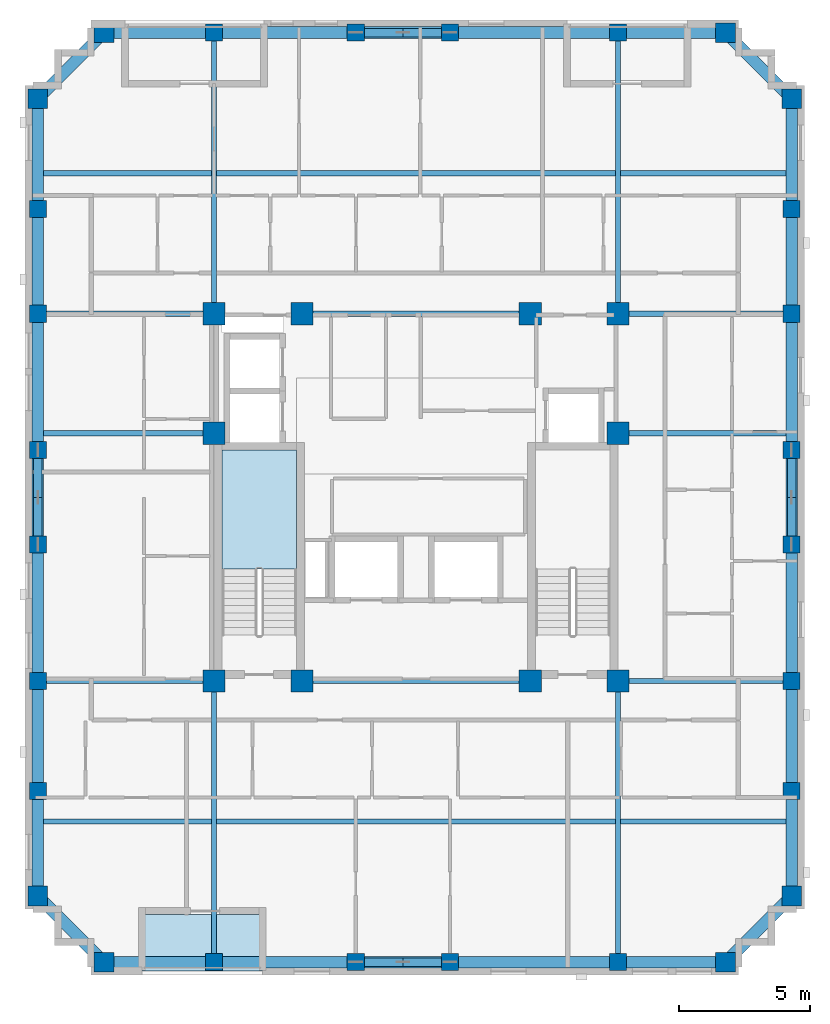
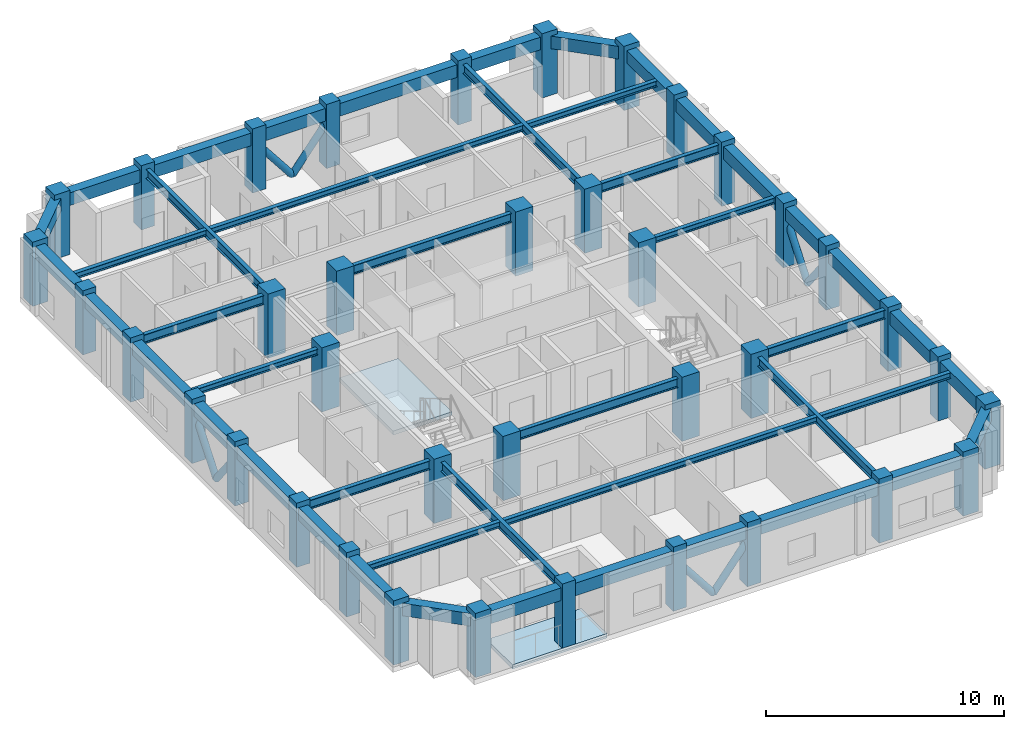
# One storey, part 1 of 10: 46 beams, 38 columns, 8 members, 2 slabs, 1 element without a shape of its own.
"""IFC4 building model written with IfcOpenShell, lengths in metres."""

from ifc_helpers import new_model, si_unit, derived_unit, direction, frame, origin, origin_2d, place, context, subcontext, project, spatial, polyline, rectangle, hollow_circle, i_section, outline, extrude, material, layer, layer_set, material_profile, profile_set, type_object, element, aggregate, save


model = new_model("IFC4")

# Units and contexts
model_context = context("Model", 3, precision=1e-05, world=origin(), true_north=direction((0.0, 1.0)))
body_context = subcontext(model_context, "Body", "Model", "MODEL_VIEW")
ifc_project = project(units=[si_unit("LENGTHUNIT", "METRE"), si_unit("AREAUNIT", "SQUARE_METRE"), si_unit("VOLUMEUNIT", "CUBIC_METRE"), si_unit("PLANEANGLEUNIT", "RADIAN"), si_unit("MASSUNIT", "GRAM", prefix="KILO"), derived_unit("THERMALTRANSMITTANCEUNIT", [(si_unit("MASSUNIT", "GRAM", prefix="KILO"), 1), (si_unit("TIMEUNIT", "SECOND"), -3), (si_unit("THERMODYNAMICTEMPERATUREUNIT", "KELVIN"), -1)])], contexts=[model_context])

# Site, building, storey
site_placement = place(None, origin())
site = spatial("IfcSite", under=ifc_project, at=site_placement, CompositionType="ELEMENT")
building_placement = place(site_placement, origin())
building = spatial("IfcBuilding", under=site, at=building_placement, Name="Korrvale Station Residences", CompositionType="ELEMENT")
storey_placement = place(building_placement, frame((0.0, 0.0, 204.10009765625)))
storey = spatial("IfcBuildingStorey", under=building, at=storey_placement, Name="L59", CompositionType="ELEMENT", Elevation=204.10009765625)

# Columns
ifc_material_1 = material(Name="Concrete C50/60", Category="concrete")
ifc_material_profile_1 = material_profile(ifc_material_1, rectangle(XDim=0.64990234375, YDim=0.64990234375, at=origin_2d()), Name="RC650x650")
ifc_profile_set_1 = profile_set([ifc_material_profile_1], Name="Concrete C50/60")
column_type_1 = type_object("IfcColumnType", Name="COL-C-RC650x650-C5060", PredefinedType="COLUMN", material=ifc_profile_set_1)
for number, where, z_axis, x_axis, name in (
    (1, (17.800048828125, 4.280029296875, 0.0), (0.0, 0.0, 1.0), (1.0, 0.0, 0.0), "L59 Bundled-Tube South Column 02"),
    (2, (23.199951171875, 4.280029296875, 0.0), (0.0, 0.0, 1.0), (1.0, 0.0, 0.0), "L59 Bundled-Tube South Column 03"),
    (3, (26.800048828125, 4.280029296875, 0.0), (0.0, 0.0, 1.0), (1.0, 0.0, 0.0), "L59 Bundled-Tube South Column 04"),
    (4, (33.199951171875, 4.280029296875, 0.0), (0.0, 0.0, 1.0), (1.0, 0.0, 0.0), "L59 Bundled-Tube South Column 05"),
    (5, (17.800048828125, 39.719970703125, 0.0), (0.0, 0.0, 1.0), (1.0, 0.0, 0.0), "L59 Bundled-Tube North Column 08"),
    (6, (23.199951171875, 39.719970703125, 0.0), (0.0, 0.0, 1.0), (1.0, 0.0, 0.0), "L59 Bundled-Tube North Column 09"),
    (7, (26.800048828125, 39.719970703125, 0.0), (0.0, 0.0, 1.0), (1.0, 0.0, 0.0), "L59 Bundled-Tube North Column 10"),
    (8, (33.199951171875, 39.719970703125, 0.0), (0.0, 0.0, 1.0), (1.0, 0.0, 0.0), "L59 Bundled-Tube North Column 11"),
    (9, (11.080078125, 10.800048828125, 0.0), (0.0, 0.0, 1.0), (1.0, 0.0, 0.0), "L59 Bundled-Tube West Column 14"),
    (10, (11.080078125, 15.0, 0.0), (0.0, 0.0, 1.0), (1.0, 0.0, 0.0), "L59 Bundled-Tube West Column 15"),
    (11, (11.080078125, 20.199951171875, 0.0), (0.0, 0.0, 1.0), (1.0, 0.0, 0.0), "L59 Bundled-Tube West Column 16"),
    (12, (11.080078125, 23.800048828125, 0.0), (0.0, 0.0, 1.0), (1.0, 0.0, 0.0), "L59 Bundled-Tube West Column 17"),
    (13, (11.080078125, 29.0, 0.0), (0.0, 0.0, 1.0), (1.0, 0.0, 0.0), "L59 Bundled-Tube West Column 18"),
    (14, (11.080078125, 33.0, 0.0), (0.0, 0.0, 1.0), (1.0, 0.0, 0.0), "L59 Bundled-Tube West Column 19"),
    (15, (39.820068359375, 10.800048828125, 0.0), (0.0, 0.0, 1.0), (1.0, 0.0, 0.0), "L59 Bundled-Tube East Column 22"),
    (16, (39.820068359375, 15.0, 0.0), (0.0, 0.0, 1.0), (1.0, 0.0, 0.0), "L59 Bundled-Tube East Column 23"),
    (17, (39.820068359375, 20.199951171875, 0.0), (0.0, 0.0, 1.0), (1.0, 0.0, 0.0), "L59 Bundled-Tube East Column 24"),
    (18, (39.820068359375, 23.800048828125, 0.0), (0.0, 0.0, 1.0), (1.0, 0.0, 0.0), "L59 Bundled-Tube East Column 25"),
    (19, (39.820068359375, 29.0, 0.0), (0.0, 0.0, 1.0), (1.0, 0.0, 0.0), "L59 Bundled-Tube East Column 26"),
    (20, (39.820068359375, 33.0, 0.0), (0.0, 0.0, 1.0), (1.0, 0.0, 0.0), "L59 Bundled-Tube East Column 27"),
):
    element("IfcColumn", number, at=place(storey_placement, frame(where, z_axis=z_axis, x_axis=x_axis)), inside=storey, type_object=column_type_1, Name=name, PredefinedType="COLUMN", context=body_context, shape_type="SweptSolid", body=[
        extrude(rectangle(XDim=0.64990234375, YDim=0.64990234375, at=origin_2d()), origin(), (0.0, 0.0, 1.0), 3.2998046875),
    ])
ifc_material_profile_2 = material_profile(ifc_material_1, rectangle(XDim=0.75, YDim=0.75, at=origin_2d()), Name="RC750x750")
ifc_profile_set_2 = profile_set([ifc_material_profile_2], Name="Concrete C50/60")
column_type_2 = type_object("IfcColumnType", Name="COL-C-RC750x750-C5060", PredefinedType="COLUMN", material=ifc_profile_set_2)
for number, where, z_axis, x_axis, name in (
    (21, (13.60009765625, 4.280029296875, 0.0), (0.0, 0.0, 1.0), (1.0, 0.0, 0.0), "L59 Bundled-Tube South Column 01"),
    (22, (37.300048828125, 4.280029296875, 0.0), (0.0, 0.0, 1.0), (1.0, 0.0, 0.0), "L59 Bundled-Tube South Column 06"),
    (23, (13.60009765625, 39.719970703125, 0.0), (0.0, 0.0, 1.0), (1.0, 0.0, 0.0), "L59 Bundled-Tube North Column 07"),
    (24, (37.300048828125, 39.719970703125, 0.0), (0.0, 0.0, 1.0), (1.0, 0.0, 0.0), "L59 Bundled-Tube North Column 12"),
    (25, (11.080078125, 6.800048828125, 0.0), (0.0, 0.0, 1.0), (1.0, 0.0, 0.0), "L59 Bundled-Tube West Column 13"),
    (26, (11.080078125, 37.199951171875, 0.0), (0.0, 0.0, 1.0), (1.0, 0.0, 0.0), "L59 Bundled-Tube West Column 20"),
    (27, (39.820068359375, 6.800048828125, 0.0), (0.0, 0.0, 1.0), (1.0, 0.0, 0.0), "L59 Bundled-Tube East Column 21"),
    (28, (39.820068359375, 37.199951171875, 0.0), (0.0, 0.0, 1.0), (1.0, 0.0, 0.0), "L59 Bundled-Tube East Column 28"),
):
    element("IfcColumn", number, at=place(storey_placement, frame(where, z_axis=z_axis, x_axis=x_axis)), inside=storey, type_object=column_type_2, Name=name, PredefinedType="COLUMN", context=body_context, shape_type="SweptSolid", body=[
        extrude(rectangle(XDim=0.75, YDim=0.75, at=origin_2d()), origin(), (0.0, 0.0, 1.0), 3.2998046875),
    ])
ifc_material_profile_3 = material_profile(ifc_material_1, rectangle(XDim=0.85009765625, YDim=0.85009765625, at=origin_2d()), Name="RC850x850")
ifc_profile_set_3 = profile_set([ifc_material_profile_3], Name="Concrete C50/60")
column_type_3 = type_object("IfcColumnType", Name="COL-C-RC850x850-C5060", PredefinedType="COLUMN", material=ifc_profile_set_3)
for number, where, z_axis, x_axis, name in (
    (29, (17.800048828125, 15.0, 0.0), (0.0, 0.0, 1.0), (1.0, 0.0, 0.0), "L59 Core Column 01"),
    (30, (21.14990234375, 15.0, 0.0), (0.0, 0.0, 1.0), (1.0, 0.0, 0.0), "L59 Core Column 02"),
    (31, (29.85009765625, 15.0, 0.0), (0.0, 0.0, 1.0), (1.0, 0.0, 0.0), "L59 Core Column 03"),
    (32, (33.199951171875, 15.0, 0.0), (0.0, 0.0, 1.0), (1.0, 0.0, 0.0), "L59 Core Column 04"),
    (33, (17.800048828125, 29.0, 0.0), (0.0, 0.0, 1.0), (1.0, 0.0, 0.0), "L59 Core Column 05"),
    (34, (21.14990234375, 29.0, 0.0), (0.0, 0.0, 1.0), (1.0, 0.0, 0.0), "L59 Core Column 06"),
    (35, (29.85009765625, 29.0, 0.0), (0.0, 0.0, 1.0), (1.0, 0.0, 0.0), "L59 Core Column 07"),
    (36, (33.199951171875, 29.0, 0.0), (0.0, 0.0, 1.0), (1.0, 0.0, 0.0), "L59 Core Column 08"),
    (37, (17.800048828125, 24.449951171875, 0.0), (0.0, 0.0, 1.0), (1.0, 0.0, 0.0), "L59 Core Column 09"),
    (38, (33.199951171875, 24.449951171875, 0.0), (0.0, 0.0, 1.0), (1.0, 0.0, 0.0), "L59 Core Column 10"),
):
    element("IfcColumn", number, at=place(storey_placement, frame(where, z_axis=z_axis, x_axis=x_axis)), inside=storey, type_object=column_type_3, Name=name, PredefinedType="COLUMN", context=body_context, shape_type="SweptSolid", body=[
        extrude(rectangle(XDim=0.85009765625, YDim=0.85009765625, at=origin_2d()), origin(), (0.0, 0.0, 1.0), 3.2998046875),
    ])

# Beams
ifc_material_2 = material(Name="Steel S355", Category="steel")
ifc_material_profile_4 = material_profile(ifc_material_2, i_section(OverallWidth=0.194091796875, OverallDepth=0.468994140625, WebThickness=0.0126953125, FlangeThickness=0.0205078125, FilletRadius=0.01611328125, at=origin_2d()), Name="W460x106")
ifc_profile_set_4 = profile_set([ifc_material_profile_4], Name="Steel S355")
beam_type_1 = type_object("IfcBeamType", Name="BM-BM-W460x106-S355", PredefinedType="BEAM", material=ifc_profile_set_4)
for number, where, z_axis, x_axis, name in (
    (39, (17.800048828125, 4.280029296875, 2.805419921875), (0.0, 1.0, 0.0), (-1.0, 0.0, 0.0), "L59 Bundled-Tube Web Girder 01"),
    (40, (33.199951171875, 4.280029296875, 2.805419921875), (0.0, 1.0, 0.0), (-1.0, 0.0, 0.0), "L59 Bundled-Tube Web Girder 02"),
    (41, (17.800048828125, 29.0, 2.805419921875), (0.0, 1.0, 0.0), (-1.0, 0.0, 0.0), "L59 Bundled-Tube Web Girder 03"),
    (42, (33.199951171875, 29.0, 2.805419921875), (0.0, 1.0, 0.0), (-1.0, 0.0, 0.0), "L59 Bundled-Tube Web Girder 04"),
):
    element("IfcBeam", number, at=place(storey_placement, frame(where, z_axis=z_axis, x_axis=x_axis)), inside=storey, type_object=beam_type_1, Name=name, PredefinedType="BEAM", context=body_context, shape_type="SweptSolid", body=[
        extrude(i_section(OverallWidth=0.194091796875, OverallDepth=0.468994140625, WebThickness=0.0126953125, FlangeThickness=0.0205078125, FilletRadius=0.01611328125, at=origin_2d()), origin(), (0.0, 0.0, 1.0), 10.719970703125),
    ])
beam_1_placement = place(storey_placement, frame((11.080078125, 15.0, 2.805419921875), z_axis=(1.0, 0.0, 0.0), x_axis=(0.0, 1.0, 0.0)))
element("IfcBeam", 43, at=beam_1_placement, inside=storey, type_object=beam_type_1, Name="L59 Bundled-Tube Web Girder 05", PredefinedType="BEAM", context=body_context, shape_type="SweptSolid", body=[
    extrude(i_section(OverallWidth=0.194091796875, OverallDepth=0.468994140625, WebThickness=0.0126953125, FlangeThickness=0.0205078125, FilletRadius=0.01611328125, at=origin_2d()), origin(), (0.0, 0.0, 1.0), 6.719970703125),
])
beam_2_placement = place(storey_placement, frame((33.199951171875, 15.0, 2.805419921875), z_axis=(1.0, 0.0, 0.0), x_axis=(0.0, 1.0, 0.0)))
element("IfcBeam", 44, at=beam_2_placement, inside=storey, type_object=beam_type_1, Name="L59 Bundled-Tube Web Girder 06", PredefinedType="BEAM", context=body_context, shape_type="SweptSolid", body=[
    extrude(i_section(OverallWidth=0.194091796875, OverallDepth=0.468994140625, WebThickness=0.0126953125, FlangeThickness=0.0205078125, FilletRadius=0.01611328125, at=origin_2d()), origin(), (0.0, 0.0, 1.0), 6.6201171875),
])
beam_3_placement = place(storey_placement, frame((11.080078125, 29.0, 2.805419921875), z_axis=(1.0, 0.0, 0.0), x_axis=(0.0, 1.0, 0.0)))
element("IfcBeam", 45, at=beam_3_placement, inside=storey, type_object=beam_type_1, Name="L59 Bundled-Tube Web Girder 07", PredefinedType="BEAM", context=body_context, shape_type="SweptSolid", body=[
    extrude(i_section(OverallWidth=0.194091796875, OverallDepth=0.468994140625, WebThickness=0.0126953125, FlangeThickness=0.0205078125, FilletRadius=0.01611328125, at=origin_2d()), origin(), (0.0, 0.0, 1.0), 6.719970703125),
])
beam_4_placement = place(storey_placement, frame((33.199951171875, 29.0, 2.805419921875), z_axis=(1.0, 0.0, 0.0), x_axis=(0.0, 1.0, 0.0)))
element("IfcBeam", 46, at=beam_4_placement, inside=storey, type_object=beam_type_1, Name="L59 Bundled-Tube Web Girder 08", PredefinedType="BEAM", context=body_context, shape_type="SweptSolid", body=[
    extrude(i_section(OverallWidth=0.194091796875, OverallDepth=0.468994140625, WebThickness=0.0126953125, FlangeThickness=0.0205078125, FilletRadius=0.01611328125, at=origin_2d()), origin(), (0.0, 0.0, 1.0), 6.6201171875),
])
for number, where, z_axis, x_axis, name in (
    (47, (21.14990234375, 15.0, 2.805419921875), (1.0, 0.0, 0.0), (0.0, 1.0, 0.0), "L59 Bundled-Tube Web Girder 09"),
    (48, (21.14990234375, 29.0, 2.805419921875), (1.0, 0.0, 0.0), (0.0, 1.0, 0.0), "L59 Bundled-Tube Web Girder 10"),
):
    element("IfcBeam", number, at=place(storey_placement, frame(where, z_axis=z_axis, x_axis=x_axis)), inside=storey, type_object=beam_type_1, Name=name, PredefinedType="BEAM", context=body_context, shape_type="SweptSolid", body=[
        extrude(i_section(OverallWidth=0.194091796875, OverallDepth=0.468994140625, WebThickness=0.0126953125, FlangeThickness=0.0205078125, FilletRadius=0.01611328125, at=origin_2d()), origin(), (0.0, 0.0, 1.0), 8.7001953125),
    ])
ifc_material_profile_5 = material_profile(ifc_material_2, i_section(OverallWidth=0.202880859375, OverallDepth=0.302978515625, WebThickness=0.007568359375, FlangeThickness=0.01318359375, FilletRadius=0.014892578125, at=origin_2d()), Name="W310x60")
ifc_profile_set_5 = profile_set([ifc_material_profile_5], Name="Steel S355")
beam_type_2 = type_object("IfcBeamType", Name="BM-JST-W310x60-S355", PredefinedType="JOIST", material=ifc_profile_set_5)
beam_5_placement = place(storey_placement, frame((11.304931640625, 9.639892578125, 2.888427734375), z_axis=(1.0, 0.0, 0.0), x_axis=(0.0, 1.0, 0.0)))
element("IfcBeam", 49, at=beam_5_placement, inside=storey, type_object=beam_type_2, Name="L59 Floor Framing Joist 01", PredefinedType="JOIST", context=body_context, shape_type="SweptSolid", body=[
    extrude(i_section(OverallWidth=0.202880859375, OverallDepth=0.302978515625, WebThickness=0.007568359375, FlangeThickness=0.01318359375, FilletRadius=0.014892578125, at=origin_2d()), origin(), (0.0, 0.0, 1.0), 6.39794921875),
])
beam_6_placement = place(storey_placement, frame((17.89697265625, 9.639892578125, 2.888427734375), z_axis=(1.0, 0.0, 0.0), x_axis=(0.0, 1.0, 0.0)))
element("IfcBeam", 50, at=beam_6_placement, inside=storey, type_object=beam_type_2, Name="L59 Floor Framing Joist 02", PredefinedType="JOIST", context=body_context, shape_type="SweptSolid", body=[
    extrude(i_section(OverallWidth=0.202880859375, OverallDepth=0.302978515625, WebThickness=0.007568359375, FlangeThickness=0.01318359375, FilletRadius=0.014892578125, at=origin_2d()), origin(), (0.0, 0.0, 1.0), 15.2060546875),
])
beam_7_placement = place(storey_placement, frame((33.297119140625, 9.639892578125, 2.888427734375), z_axis=(1.0, 0.0, 0.0), x_axis=(0.0, 1.0, 0.0)))
element("IfcBeam", 51, at=beam_7_placement, inside=storey, type_object=beam_type_2, Name="L59 Floor Framing Joist 03", PredefinedType="JOIST", context=body_context, shape_type="SweptSolid", body=[
    extrude(i_section(OverallWidth=0.202880859375, OverallDepth=0.302978515625, WebThickness=0.007568359375, FlangeThickness=0.01318359375, FilletRadius=0.014892578125, at=origin_2d()), origin(), (0.0, 0.0, 1.0), 6.2978515625),
])
beam_8_placement = place(storey_placement, frame((11.304931640625, 34.360107421875, 2.888427734375), z_axis=(1.0, 0.0, 0.0), x_axis=(0.0, 1.0, 0.0)))
element("IfcBeam", 52, at=beam_8_placement, inside=storey, type_object=beam_type_2, Name="L59 Floor Framing Joist 04", PredefinedType="JOIST", context=body_context, shape_type="SweptSolid", body=[
    extrude(i_section(OverallWidth=0.202880859375, OverallDepth=0.302978515625, WebThickness=0.007568359375, FlangeThickness=0.01318359375, FilletRadius=0.014892578125, at=origin_2d()), origin(), (0.0, 0.0, 1.0), 6.39794921875),
])
beam_9_placement = place(storey_placement, frame((17.89697265625, 34.360107421875, 2.888427734375), z_axis=(1.0, 0.0, 0.0), x_axis=(0.0, 1.0, 0.0)))
element("IfcBeam", 53, at=beam_9_placement, inside=storey, type_object=beam_type_2, Name="L59 Floor Framing Joist 05", PredefinedType="JOIST", context=body_context, shape_type="SweptSolid", body=[
    extrude(i_section(OverallWidth=0.202880859375, OverallDepth=0.302978515625, WebThickness=0.007568359375, FlangeThickness=0.01318359375, FilletRadius=0.014892578125, at=origin_2d()), origin(), (0.0, 0.0, 1.0), 15.2060546875),
])
beam_10_placement = place(storey_placement, frame((33.297119140625, 34.360107421875, 2.888427734375), z_axis=(1.0, 0.0, 0.0), x_axis=(0.0, 1.0, 0.0)))
element("IfcBeam", 54, at=beam_10_placement, inside=storey, type_object=beam_type_2, Name="L59 Floor Framing Joist 06", PredefinedType="JOIST", context=body_context, shape_type="SweptSolid", body=[
    extrude(i_section(OverallWidth=0.202880859375, OverallDepth=0.302978515625, WebThickness=0.007568359375, FlangeThickness=0.01318359375, FilletRadius=0.014892578125, at=origin_2d()), origin(), (0.0, 0.0, 1.0), 6.2978515625),
])
beam_11_placement = place(storey_placement, frame((33.199951171875, 24.449951171875, 2.888427734375), z_axis=(1.0, 0.0, 0.0), x_axis=(0.0, 1.0, 0.0)))
element("IfcBeam", 55, at=beam_11_placement, inside=storey, type_object=beam_type_2, Name="L59 Floor Framing Joist 07", PredefinedType="JOIST", context=body_context, shape_type="SweptSolid", body=[
    extrude(i_section(OverallWidth=0.202880859375, OverallDepth=0.302978515625, WebThickness=0.007568359375, FlangeThickness=0.01318359375, FilletRadius=0.014892578125, at=origin_2d()), origin(), (0.0, 0.0, 1.0), 6.39501953125),
])
beam_12_placement = place(storey_placement, frame((11.304931640625, 24.449951171875, 2.888427734375), z_axis=(1.0, 0.0, 0.0), x_axis=(0.0, 1.0, 0.0)))
element("IfcBeam", 56, at=beam_12_placement, inside=storey, type_object=beam_type_2, Name="L59 Floor Framing Joist 08", PredefinedType="JOIST", context=body_context, shape_type="SweptSolid", body=[
    extrude(i_section(OverallWidth=0.202880859375, OverallDepth=0.302978515625, WebThickness=0.007568359375, FlangeThickness=0.01318359375, FilletRadius=0.014892578125, at=origin_2d()), origin(), (0.0, 0.0, 1.0), 6.4951171875),
])
ifc_material_profile_6 = material_profile(ifc_material_1, rectangle(XDim=0.449951171875, YDim=0.64990234375, at=origin_2d()), Name="RCB450x650")
ifc_profile_set_6 = profile_set([ifc_material_profile_6], Name="Concrete C50/60")
beam_type_3 = type_object("IfcBeamType", Name="BM-SPB-RCB450x650-C5060", PredefinedType="SPANDREL", material=ifc_profile_set_6)
beam_13_placement = place(storey_placement, frame((13.60009765625, 4.280029296875, 2.71484375), z_axis=(1.0, 0.0, 0.0), x_axis=(0.0, 1.0, 0.0)))
element("IfcBeam", 57, at=beam_13_placement, inside=storey, type_object=beam_type_3, Name="L59 South Tube Spandrel 01", PredefinedType="SPANDREL", context=body_context, shape_type="SweptSolid", body=[
    extrude(rectangle(XDim=0.449951171875, YDim=0.64990234375, at=origin_2d()), origin(), (0.0, 0.0, 1.0), 4.199951171875),
])
beam_14_placement = place(storey_placement, frame((17.800048828125, 4.280029296875, 2.71484375), z_axis=(1.0, 0.0, 0.0), x_axis=(0.0, 1.0, 0.0)))
element("IfcBeam", 58, at=beam_14_placement, inside=storey, type_object=beam_type_3, Name="L59 South Tube Spandrel 02", PredefinedType="SPANDREL", context=body_context, shape_type="SweptSolid", body=[
    extrude(rectangle(XDim=0.449951171875, YDim=0.64990234375, at=origin_2d()), origin(), (0.0, 0.0, 1.0), 5.39990234375),
])
beam_15_placement = place(storey_placement, frame((23.199951171875, 4.280029296875, 2.71484375), z_axis=(1.0, 0.0, 0.0), x_axis=(0.0, 1.0, 0.0)))
element("IfcBeam", 59, at=beam_15_placement, inside=storey, type_object=beam_type_3, Name="L59 South Tube Spandrel 03", PredefinedType="SPANDREL", context=body_context, shape_type="SweptSolid", body=[
    extrude(rectangle(XDim=0.449951171875, YDim=0.64990234375, at=origin_2d()), origin(), (0.0, 0.0, 1.0), 3.60009765625),
])
beam_16_placement = place(storey_placement, frame((26.800048828125, 4.280029296875, 2.71484375), z_axis=(1.0, 0.0, 0.0), x_axis=(0.0, 1.0, 0.0)))
element("IfcBeam", 60, at=beam_16_placement, inside=storey, type_object=beam_type_3, Name="L59 South Tube Spandrel 04", PredefinedType="SPANDREL", context=body_context, shape_type="SweptSolid", body=[
    extrude(rectangle(XDim=0.449951171875, YDim=0.64990234375, at=origin_2d()), origin(), (0.0, 0.0, 1.0), 6.39990234375),
])
beam_17_placement = place(storey_placement, frame((33.199951171875, 4.280029296875, 2.71484375), z_axis=(1.0, 0.0, 0.0), x_axis=(0.0, 1.0, 0.0)))
element("IfcBeam", 61, at=beam_17_placement, inside=storey, type_object=beam_type_3, Name="L59 South Tube Spandrel 05", PredefinedType="SPANDREL", context=body_context, shape_type="SweptSolid", body=[
    extrude(rectangle(XDim=0.449951171875, YDim=0.64990234375, at=origin_2d()), origin(), (0.0, 0.0, 1.0), 4.10009765625),
])
beam_18_placement = place(storey_placement, frame((13.60009765625, 39.719970703125, 2.71484375), z_axis=(1.0, 0.0, 0.0), x_axis=(0.0, 1.0, 0.0)))
element("IfcBeam", 62, at=beam_18_placement, inside=storey, type_object=beam_type_3, Name="L59 North Tube Spandrel 06", PredefinedType="SPANDREL", context=body_context, shape_type="SweptSolid", body=[
    extrude(rectangle(XDim=0.449951171875, YDim=0.64990234375, at=origin_2d()), origin(), (0.0, 0.0, 1.0), 4.199951171875),
])
beam_19_placement = place(storey_placement, frame((17.800048828125, 39.719970703125, 2.71484375), z_axis=(1.0, 0.0, 0.0), x_axis=(0.0, 1.0, 0.0)))
element("IfcBeam", 63, at=beam_19_placement, inside=storey, type_object=beam_type_3, Name="L59 North Tube Spandrel 07", PredefinedType="SPANDREL", context=body_context, shape_type="SweptSolid", body=[
    extrude(rectangle(XDim=0.449951171875, YDim=0.64990234375, at=origin_2d()), origin(), (0.0, 0.0, 1.0), 5.39990234375),
])
beam_20_placement = place(storey_placement, frame((23.199951171875, 39.719970703125, 2.71484375), z_axis=(1.0, 0.0, 0.0), x_axis=(0.0, 1.0, 0.0)))
element("IfcBeam", 64, at=beam_20_placement, inside=storey, type_object=beam_type_3, Name="L59 North Tube Spandrel 08", PredefinedType="SPANDREL", context=body_context, shape_type="SweptSolid", body=[
    extrude(rectangle(XDim=0.449951171875, YDim=0.64990234375, at=origin_2d()), origin(), (0.0, 0.0, 1.0), 3.60009765625),
])
beam_21_placement = place(storey_placement, frame((26.800048828125, 39.719970703125, 2.71484375), z_axis=(1.0, 0.0, 0.0), x_axis=(0.0, 1.0, 0.0)))
element("IfcBeam", 65, at=beam_21_placement, inside=storey, type_object=beam_type_3, Name="L59 North Tube Spandrel 09", PredefinedType="SPANDREL", context=body_context, shape_type="SweptSolid", body=[
    extrude(rectangle(XDim=0.449951171875, YDim=0.64990234375, at=origin_2d()), origin(), (0.0, 0.0, 1.0), 6.39990234375),
])
beam_22_placement = place(storey_placement, frame((33.199951171875, 39.719970703125, 2.71484375), z_axis=(1.0, 0.0, 0.0), x_axis=(0.0, 1.0, 0.0)))
element("IfcBeam", 66, at=beam_22_placement, inside=storey, type_object=beam_type_3, Name="L59 North Tube Spandrel 10", PredefinedType="SPANDREL", context=body_context, shape_type="SweptSolid", body=[
    extrude(rectangle(XDim=0.449951171875, YDim=0.64990234375, at=origin_2d()), origin(), (0.0, 0.0, 1.0), 4.10009765625),
])
beam_23_placement = place(storey_placement, frame((11.080078125, 6.800048828125, 2.71484375), z_axis=(0.0, 1.0, 0.0), x_axis=(-1.0, 0.0, 0.0)))
element("IfcBeam", 67, at=beam_23_placement, inside=storey, type_object=beam_type_3, Name="L59 West Tube Spandrel 11", PredefinedType="SPANDREL", context=body_context, shape_type="SweptSolid", body=[
    extrude(rectangle(XDim=0.449951171875, YDim=0.64990234375, at=origin_2d()), origin(), (0.0, 0.0, 1.0), 4.0),
])
beam_24_placement = place(storey_placement, frame((11.080078125, 10.800048828125, 2.71484375), z_axis=(0.0, 1.0, 0.0), x_axis=(-1.0, 0.0, 0.0)))
element("IfcBeam", 68, at=beam_24_placement, inside=storey, type_object=beam_type_3, Name="L59 West Tube Spandrel 12", PredefinedType="SPANDREL", context=body_context, shape_type="SweptSolid", body=[
    extrude(rectangle(XDim=0.449951171875, YDim=0.64990234375, at=origin_2d()), origin(), (0.0, 0.0, 1.0), 4.199951171875),
])
beam_25_placement = place(storey_placement, frame((11.080078125, 15.0, 2.71484375), z_axis=(0.0, 1.0, 0.0), x_axis=(-1.0, 0.0, 0.0)))
element("IfcBeam", 69, at=beam_25_placement, inside=storey, type_object=beam_type_3, Name="L59 West Tube Spandrel 13", PredefinedType="SPANDREL", context=body_context, shape_type="SweptSolid", body=[
    extrude(rectangle(XDim=0.449951171875, YDim=0.64990234375, at=origin_2d()), origin(), (0.0, 0.0, 1.0), 5.199951171875),
])
beam_26_placement = place(storey_placement, frame((11.080078125, 20.199951171875, 2.71484375), z_axis=(0.0, 1.0, 0.0), x_axis=(-1.0, 0.0, 0.0)))
element("IfcBeam", 70, at=beam_26_placement, inside=storey, type_object=beam_type_3, Name="L59 West Tube Spandrel 14", PredefinedType="SPANDREL", context=body_context, shape_type="SweptSolid", body=[
    extrude(rectangle(XDim=0.449951171875, YDim=0.64990234375, at=origin_2d()), origin(), (0.0, 0.0, 1.0), 3.60009765625),
])
beam_27_placement = place(storey_placement, frame((11.080078125, 23.800048828125, 2.71484375), z_axis=(0.0, 1.0, 0.0), x_axis=(-1.0, 0.0, 0.0)))
element("IfcBeam", 71, at=beam_27_placement, inside=storey, type_object=beam_type_3, Name="L59 West Tube Spandrel 15", PredefinedType="SPANDREL", context=body_context, shape_type="SweptSolid", body=[
    extrude(rectangle(XDim=0.449951171875, YDim=0.64990234375, at=origin_2d()), origin(), (0.0, 0.0, 1.0), 5.199951171875),
])
beam_28_placement = place(storey_placement, frame((11.080078125, 29.0, 2.71484375), z_axis=(0.0, 1.0, 0.0), x_axis=(-1.0, 0.0, 0.0)))
element("IfcBeam", 72, at=beam_28_placement, inside=storey, type_object=beam_type_3, Name="L59 West Tube Spandrel 16", PredefinedType="SPANDREL", context=body_context, shape_type="SweptSolid", body=[
    extrude(rectangle(XDim=0.449951171875, YDim=0.64990234375, at=origin_2d()), origin(), (0.0, 0.0, 1.0), 4.0),
])
beam_29_placement = place(storey_placement, frame((11.080078125, 33.0, 2.71484375), z_axis=(0.0, 1.0, 0.0), x_axis=(-1.0, 0.0, 0.0)))
element("IfcBeam", 73, at=beam_29_placement, inside=storey, type_object=beam_type_3, Name="L59 West Tube Spandrel 17", PredefinedType="SPANDREL", context=body_context, shape_type="SweptSolid", body=[
    extrude(rectangle(XDim=0.449951171875, YDim=0.64990234375, at=origin_2d()), origin(), (0.0, 0.0, 1.0), 4.199951171875),
])
beam_30_placement = place(storey_placement, frame((39.820068359375, 6.800048828125, 2.71484375), z_axis=(0.0, 1.0, 0.0), x_axis=(-1.0, 0.0, 0.0)))
element("IfcBeam", 74, at=beam_30_placement, inside=storey, type_object=beam_type_3, Name="L59 East Tube Spandrel 18", PredefinedType="SPANDREL", context=body_context, shape_type="SweptSolid", body=[
    extrude(rectangle(XDim=0.449951171875, YDim=0.64990234375, at=origin_2d()), origin(), (0.0, 0.0, 1.0), 4.0),
])
beam_31_placement = place(storey_placement, frame((39.820068359375, 10.800048828125, 2.71484375), z_axis=(0.0, 1.0, 0.0), x_axis=(-1.0, 0.0, 0.0)))
element("IfcBeam", 75, at=beam_31_placement, inside=storey, type_object=beam_type_3, Name="L59 East Tube Spandrel 19", PredefinedType="SPANDREL", context=body_context, shape_type="SweptSolid", body=[
    extrude(rectangle(XDim=0.449951171875, YDim=0.64990234375, at=origin_2d()), origin(), (0.0, 0.0, 1.0), 4.199951171875),
])
beam_32_placement = place(storey_placement, frame((39.820068359375, 15.0, 2.71484375), z_axis=(0.0, 1.0, 0.0), x_axis=(-1.0, 0.0, 0.0)))
element("IfcBeam", 76, at=beam_32_placement, inside=storey, type_object=beam_type_3, Name="L59 East Tube Spandrel 20", PredefinedType="SPANDREL", context=body_context, shape_type="SweptSolid", body=[
    extrude(rectangle(XDim=0.449951171875, YDim=0.64990234375, at=origin_2d()), origin(), (0.0, 0.0, 1.0), 5.199951171875),
])
beam_33_placement = place(storey_placement, frame((39.820068359375, 20.199951171875, 2.71484375), z_axis=(0.0, 1.0, 0.0), x_axis=(-1.0, 0.0, 0.0)))
element("IfcBeam", 77, at=beam_33_placement, inside=storey, type_object=beam_type_3, Name="L59 East Tube Spandrel 21", PredefinedType="SPANDREL", context=body_context, shape_type="SweptSolid", body=[
    extrude(rectangle(XDim=0.449951171875, YDim=0.64990234375, at=origin_2d()), origin(), (0.0, 0.0, 1.0), 3.60009765625),
])
beam_34_placement = place(storey_placement, frame((39.820068359375, 23.800048828125, 2.71484375), z_axis=(0.0, 1.0, 0.0), x_axis=(-1.0, 0.0, 0.0)))
element("IfcBeam", 78, at=beam_34_placement, inside=storey, type_object=beam_type_3, Name="L59 East Tube Spandrel 22", PredefinedType="SPANDREL", context=body_context, shape_type="SweptSolid", body=[
    extrude(rectangle(XDim=0.449951171875, YDim=0.64990234375, at=origin_2d()), origin(), (0.0, 0.0, 1.0), 5.199951171875),
])
beam_35_placement = place(storey_placement, frame((39.820068359375, 29.0, 2.71484375), z_axis=(0.0, 1.0, 0.0), x_axis=(-1.0, 0.0, 0.0)))
element("IfcBeam", 79, at=beam_35_placement, inside=storey, type_object=beam_type_3, Name="L59 East Tube Spandrel 23", PredefinedType="SPANDREL", context=body_context, shape_type="SweptSolid", body=[
    extrude(rectangle(XDim=0.449951171875, YDim=0.64990234375, at=origin_2d()), origin(), (0.0, 0.0, 1.0), 4.0),
])
beam_36_placement = place(storey_placement, frame((39.820068359375, 33.0, 2.71484375), z_axis=(0.0, 1.0, 0.0), x_axis=(-1.0, 0.0, 0.0)))
element("IfcBeam", 80, at=beam_36_placement, inside=storey, type_object=beam_type_3, Name="L59 East Tube Spandrel 24", PredefinedType="SPANDREL", context=body_context, shape_type="SweptSolid", body=[
    extrude(rectangle(XDim=0.449951171875, YDim=0.64990234375, at=origin_2d()), origin(), (0.0, 0.0, 1.0), 4.199951171875),
])
for number, where, z_axis, x_axis, name in (
    (81, (13.60009765625, 4.280029296875, 2.71484375), (-0.707106781187, 0.707106781187, 0.0), (-0.707106781187, -0.707106781187, 0.0), "L59 Serrated Corner Spandrel 25"),
    (82, (37.300048828125, 4.280029296875, 2.71484375), (0.707106781187, 0.707106781187, 0.0), (-0.707106781187, 0.707106781187, 0.0), "L59 Serrated Corner Spandrel 26"),
    (83, (37.300048828125, 39.719970703125, 2.71484375), (0.707106781187, -0.707106781187, 0.0), (0.707106781187, 0.707106781187, 0.0), "L59 Serrated Corner Spandrel 27"),
    (84, (13.60009765625, 39.719970703125, 2.71484375), (-0.707106781187, -0.707106781187, 0.0), (0.707106781187, -0.707106781187, 0.0), "L59 Serrated Corner Spandrel 28"),
):
    element("IfcBeam", number, at=place(storey_placement, frame(where, z_axis=z_axis, x_axis=x_axis)), inside=storey, type_object=beam_type_3, Name=name, PredefinedType="SPANDREL", context=body_context, shape_type="SweptSolid", body=[
        extrude(rectangle(XDim=0.449951171875, YDim=0.64990234375, at=origin_2d()), origin(), (0.0, 0.0, 1.0), 3.56396484375),
    ])

# Members
ifc_material_profile_7 = material_profile(ifc_material_2, hollow_circle(Radius=0.161865234375, WallThickness=0.015869140625, at=origin_2d()), Name="HSS324x16")
ifc_profile_set_7 = profile_set([ifc_material_profile_7], Name="Steel S355")
member_type = type_object("IfcMemberType", Name="MBR-BR-HSS324x16", PredefinedType="BRACE", material=ifc_profile_set_7)
for number, where, z_axis, x_axis, name in (
    (85, (25.0, 4.280029296875, 0.02001953125), (-0.618017733758, 0.0, 0.78616415637), (0.0, -1.0, 0.0), "L59 S Perimeter Tube Wind Brace 1"),
    (86, (25.0, 4.280029296875, 0.02001953125), (0.618017733758, 0.0, 0.78616415637), (0.0, 1.0, 0.0), "L59 S Perimeter Tube Wind Brace 2"),
    (87, (25.0, 39.719970703125, 0.02001953125), (-0.618017733758, 0.0, 0.78616415637), (0.0, -1.0, 0.0), "L59 N Perimeter Tube Wind Brace 1"),
    (88, (25.0, 39.719970703125, 0.02001953125), (0.618017733758, 0.0, 0.78616415637), (0.0, 1.0, 0.0), "L59 N Perimeter Tube Wind Brace 2"),
    (89, (11.080078125, 22.0, 0.02001953125), (0.0, -0.618017733758, 0.78616415637), (1.0, 0.0, 0.0), "L59 W Perimeter Tube Wind Brace 1"),
    (90, (11.080078125, 22.0, 0.02001953125), (0.0, 0.618017733758, 0.78616415637), (-1.0, 0.0, 0.0), "L59 W Perimeter Tube Wind Brace 2"),
    (91, (39.820068359375, 22.0, 0.02001953125), (0.0, -0.618017733758, 0.78616415637), (1.0, 0.0, 0.0), "L59 E Perimeter Tube Wind Brace 1"),
    (92, (39.820068359375, 22.0, 0.02001953125), (0.0, 0.618017733758, 0.78616415637), (-1.0, 0.0, 0.0), "L59 E Perimeter Tube Wind Brace 2"),
):
    element("IfcMember", number, at=place(storey_placement, frame(where, z_axis=z_axis, x_axis=x_axis)), inside=storey, type_object=member_type, Name=name, PredefinedType="BRACE", context=body_context, shape_type="SweptSolid", body=[
        extrude(hollow_circle(Radius=0.161865234375, WallThickness=0.015869140625, at=origin_2d()), origin(), (0.0, 0.0, 1.0), 2.91259765625),
    ])

# Slab
ifc_layer_1 = layer(ifc_material_1, 0.219970703125, Name="Concrete C50/60")
ifc_layer_set_1 = layer_set([ifc_layer_1], Name="Concrete C50/60")
slab_type_1 = type_object("IfcSlabType", Name="SLB-BAL-220", PredefinedType="FLOOR", material=ifc_layer_set_1)
slab_1_placement = place(storey_placement, frame((0.0, 0.0, -0.22021484375)))
element("IfcSlab", 93, at=slab_1_placement, inside=storey, type_object=slab_type_1, Name="L59 Recessed Loggia Balcony Slab BAL-L59-S1", PredefinedType="FLOOR", context=body_context, shape_type="SweptSolid", body=[
    extrude(outline(polyline([(15.050048828125, 3.949951171875), (19.64990234375, 3.949951171875), (19.64990234375, 6.10009765625), (15.050048828125, 6.10009765625), (15.050048828125, 3.949951171875)])), origin(), (0.0, 0.0, 1.0), 0.22021484375),
])

# Stair, slab
stair_type = type_object("IfcStairType", Name="STR-DL-1350-20R-1650", PredefinedType="HALF_TURN_STAIR", material=ifc_material_1)
stair_placement = place(storey_placement, origin())
stair = element("IfcStair", 94, at=stair_placement, inside=storey, type_object=stair_type, Name="L59 Exit Stair 1", PredefinedType="HALF_TURN_STAIR")
ifc_layer_2 = layer(ifc_material_1, 0.199951171875, Name="Concrete C50/60")
ifc_layer_set_2 = layer_set([ifc_layer_2], Name="Concrete C50/60")
slab_type_2 = type_object("IfcSlabType", Name="SLB-LND-200", PredefinedType="LANDING", material=ifc_layer_set_2)
slab_2_placement = place(storey_placement, frame((0.0, 0.0, 1.449951171875)))
slab_2 = element("IfcSlab", 95, at=slab_2_placement, type_object=slab_type_2, Name="ST-1 landing 1", PredefinedType="LANDING", context=body_context, shape_type="SweptSolid", body=[
    extrude(outline(polyline([(20.949951171875, 19.27001953125), (20.949951171875, 23.800048828125), (18.10009765625, 23.800048828125), (18.10009765625, 19.27001953125), (20.949951171875, 19.27001953125)])), origin(), (0.0, 0.0, 1.0), 0.199951171875),
])
aggregate(stair, [slab_2])

save(model, "model.ifc")
